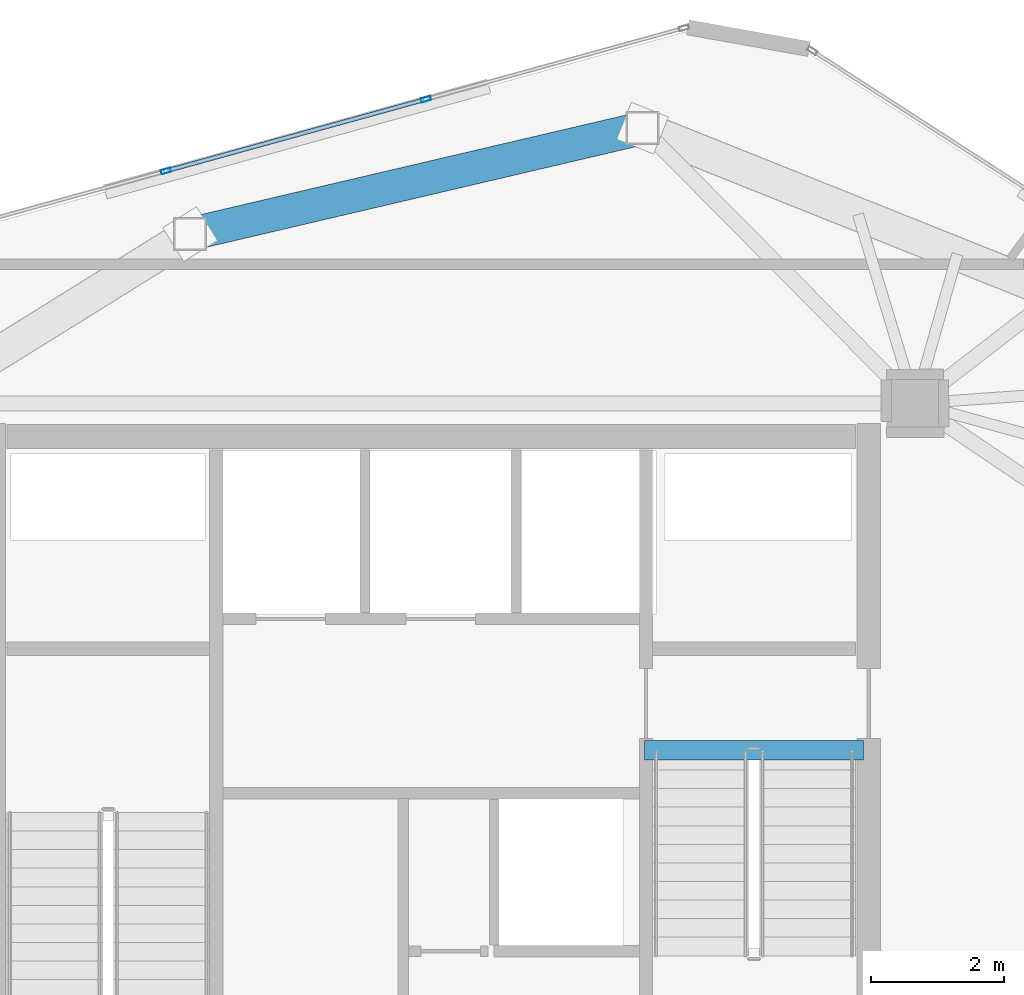
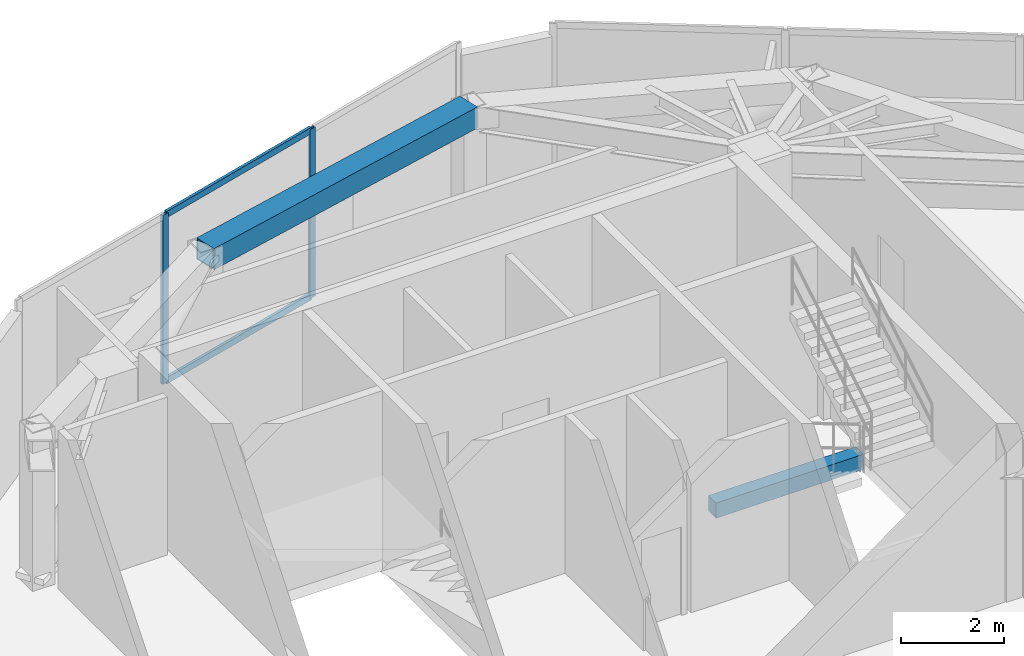
# One storey, part 10 of 19: 4 members, 2 beams, 1 element without a shape of its own.
"""IFC4 building model written with IfcOpenShell, lengths in metres."""

from ifc_helpers import new_model, si_unit, direction, frame, origin, origin_2d, place, context, subcontext, project, spatial, rectangle, hollow_rectangle, extrude, source, transform, mapped, material, layer, layer_set, material_profile, profile_set, type_object, type_shapes, element, aggregate, save


model = new_model("IFC4")

# Units and contexts
model_context = context("Model", 3, precision=1e-05, world=origin(), true_north=direction((0.0, 1.0)))
body_context = subcontext(model_context, "Body", "Model", "MODEL_VIEW")
ifc_project = project(units=[si_unit("LENGTHUNIT", "METRE"), si_unit("AREAUNIT", "SQUARE_METRE"), si_unit("VOLUMEUNIT", "CUBIC_METRE"), si_unit("PLANEANGLEUNIT", "RADIAN"), si_unit("MASSUNIT", "GRAM", prefix="KILO")], contexts=[model_context])

# Site, building, storey
site_placement = place(None, origin())
site = spatial("IfcSite", under=ifc_project, at=site_placement, CompositionType="ELEMENT")
building_placement = place(site_placement, origin())
building = spatial("IfcBuilding", under=site, at=building_placement, Name="Talar Marvaseh", CompositionType="ELEMENT")
storey_placement = place(building_placement, frame((0.0, 0.0, 296.0)))
storey = spatial("IfcBuildingStorey", under=building, at=storey_placement, Name="L79", CompositionType="ELEMENT", Elevation=296.0)

# Beams
ifc_material_1 = material(Name="Concrete C40/50", Category="concrete")
ifc_material_profile_1 = material_profile(ifc_material_1, rectangle(XDim=0.300048828125, YDim=0.360107421875, at=origin_2d()), Name="RC300x360")
ifc_profile_set_1 = profile_set([ifc_material_profile_1], Name="Concrete C40/50")
beam_type_1 = type_object("IfcBeamType", Name="Concrete Stair Landing Trimmer Beam RC300x360", PredefinedType="SPANDREL", material=ifc_profile_set_1)
beam_1_placement = place(storey_placement, frame((29.219970703125, 31.669921875, -0.179931640625), z_axis=(1.0, 0.0, 0.0), x_axis=(0.0, 1.0, 0.0)))
element("IfcBeam", 1, at=beam_1_placement, inside=storey, type_object=beam_type_1, Name="L79 ST-2 Stair Nosing Trimmer Beam", PredefinedType="SPANDREL", context=body_context, shape_type="SweptSolid", body=[
    extrude(rectangle(XDim=0.300048828125, YDim=0.360107421875, at=origin_2d()), origin(), (0.0, 0.0, 1.0), 3.300048828125),
])
ifc_material_2 = material(Name="Steel S460", Category="steel")
ifc_material_profile_2 = material_profile(ifc_material_2, hollow_rectangle(XDim=0.5, YDim=0.5, WallThickness=0.02490234375, at=origin_2d()), Name="BOX500x500x25")
ifc_profile_set_2 = profile_set([ifc_material_profile_2], Name="Steel S460")
beam_type_2 = type_object("IfcBeamType", Name="Crown Frame Top Ring Beam BOX500x500x25", PredefinedType="BEAM", material=ifc_profile_set_2)
beam_2_placement = place(storey_placement, frame((22.364990234375, 39.4541015625, 3.489990234375), z_axis=(0.973655602276, 0.228023613157, 0.0), x_axis=(-0.228023613157, 0.973655602276, 0.0)))
element("IfcBeam", 2, at=beam_2_placement, inside=storey, type_object=beam_type_2, Name="L79 Crown Frame Top Ring Beam BOX500x500x25", PredefinedType="BEAM", context=body_context, shape_type="SweptSolid", body=[
    extrude(hollow_rectangle(XDim=0.5, YDim=0.5, WallThickness=0.02490234375, at=origin_2d()), origin(), (0.0, 0.0, 1.0), 7.007568359375),
])

# Curtain wall, members
ifc_material_3 = material(Name="Architectural Aluminium", Category="aluminium")
ifc_layer = layer(ifc_material_3, 0.2099609375)
ifc_layer_set = layer_set([ifc_layer], Name="Architectural Aluminium")
curtain_wall_type = type_object("IfcCurtainWallType", Name="Crown Plant Acoustic Spandrel Curtain Wall", PredefinedType="NOTDEFINED", material=ifc_layer_set)
curtain_wall_placement = place(storey_placement, origin())
curtain_wall = element("IfcCurtainWall", 3, at=curtain_wall_placement, inside=storey, type_object=curtain_wall_type, Name="L79 Crown Plant Acoustic Spandrel Curtain Wall", PredefinedType="NOTDEFINED")
ifc_material_profile_3 = material_profile(ifc_material_3, hollow_rectangle(XDim=0.06494140625, YDim=0.14990234375, WallThickness=0.00390625, at=origin_2d()), Name="RHS150x65x4")
ifc_profile_set_3 = profile_set([ifc_material_profile_3], Name="Architectural Aluminium")
member_type_1 = type_object("IfcMemberType", Name="Unitised Curtain Wall Slim Transom RHS150x65x4", PredefinedType="USERDEFINED", material=ifc_profile_set_3)
shared_shape_1 = source(origin(), body_context, "Body", "SweptSolid", [
    extrude(hollow_rectangle(XDim=0.06494140625, YDim=0.14990234375, WallThickness=0.00390625, at=origin_2d()), origin(), (0.0, 0.0, 1.0), 4.003662109375),
])
type_shapes(member_type_1, [shared_shape_1])
member_1_placement = place(storey_placement, frame((22.031494140625, 40.41455078125, 0.032470703125), z_axis=(0.963958650678, 0.266052099754, 0.0), x_axis=(-0.266052099754, 0.963958650678, 0.0)))
member_1 = element("IfcMember", 4, at=member_1_placement, type_object=member_type_1, Name="CW-CRN transom 2.1", ObjectType="TRANSOM", PredefinedType="USERDEFINED", context=body_context, shape_type="MappedRepresentation", body=[
    mapped(shared_shape_1, transform((0.0, 0.0, 0.0), x_axis=(1.0, 0.0, 0.0), y_axis=(0.0, 1.0, 0.0), z_axis=(0.0, 0.0, 1.0), scale=1.0)),
])
member_2_placement = place(storey_placement, frame((22.031494140625, 40.41455078125, 3.967529296875), z_axis=(0.963958650678, 0.266052099754, 0.0), x_axis=(-0.266052099754, 0.963958650678, 0.0)))
member_2 = element("IfcMember", 5, at=member_2_placement, type_object=member_type_1, Name="CW-CRN transom 2.2", ObjectType="TRANSOM", PredefinedType="USERDEFINED", context=body_context, shape_type="MappedRepresentation", body=[
    mapped(shared_shape_1, transform((0.0, 0.0, 0.0), x_axis=(1.0, 0.0, 0.0), y_axis=(0.0, 1.0, 0.0), z_axis=(0.0, 0.0, 1.0), scale=1.0)),
])
ifc_material_profile_4 = material_profile(ifc_material_3, hollow_rectangle(XDim=0.06494140625, YDim=0.14990234375, WallThickness=0.00390625, at=origin_2d()), Name="RHS150x65x4")
ifc_profile_set_4 = profile_set([ifc_material_profile_4], Name="Architectural Aluminium")
member_type_2 = type_object("IfcMemberType", Name="Unitised Curtain Wall Slim Mullion RHS150x65x4", PredefinedType="MULLION", material=ifc_profile_set_4)
shared_shape_2 = source(origin(), body_context, "Body", "SweptSolid", [
    extrude(hollow_rectangle(XDim=0.06494140625, YDim=0.14990234375, WallThickness=0.00390625, at=origin_2d()), origin(), (0.0, 0.0, 1.0), 4.0),
])
type_shapes(member_type_2, [shared_shape_2])
member_3_placement = place(storey_placement, frame((22.000244140625, 40.40576171875, 0.0), z_axis=(0.0, 0.0, 1.0), x_axis=(-0.266091499978, 0.963947775369, 0.0)))
member_3 = element("IfcMember", 6, at=member_3_placement, type_object=member_type_2, Name="CW-CRN mullion 2", PredefinedType="MULLION", context=body_context, shape_type="MappedRepresentation", body=[
    mapped(shared_shape_2, transform((0.0, 0.0, 0.0), x_axis=(1.0, 0.0, 0.0), y_axis=(0.0, 1.0, 0.0), z_axis=(0.0, 0.0, 1.0), scale=1.0)),
])
member_4_placement = place(storey_placement, frame((25.922119140625, 41.488525390625, 0.0), z_axis=(0.0, 0.0, 1.0), x_axis=(-0.266091499978, 0.963947775369, 0.0)))
member_4 = element("IfcMember", 7, at=member_4_placement, type_object=member_type_2, Name="CW-CRN mullion 3", PredefinedType="MULLION", context=body_context, shape_type="MappedRepresentation", body=[
    mapped(shared_shape_2, transform((0.0, 0.0, 0.0), x_axis=(1.0, 0.0, 0.0), y_axis=(0.0, 1.0, 0.0), z_axis=(0.0, 0.0, 1.0), scale=1.0)),
])
aggregate(curtain_wall, [member_3, member_4, member_1, member_2])

save(model, "model.ifc")
